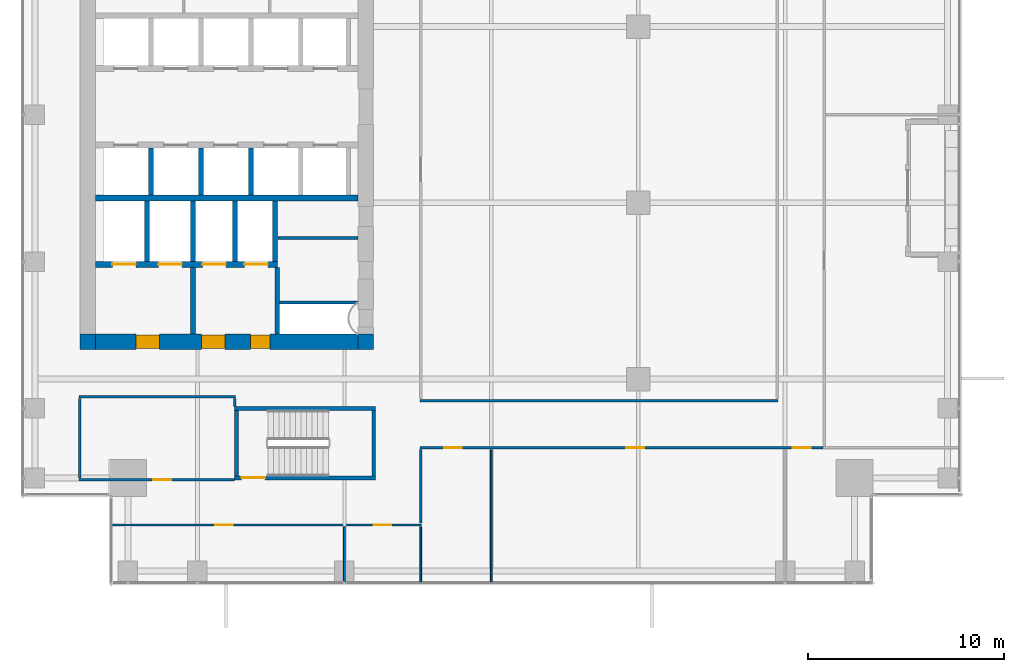
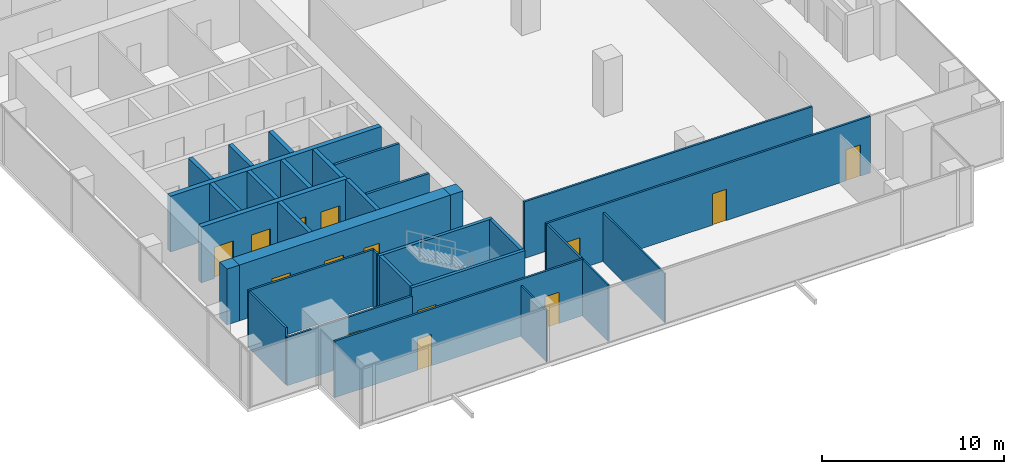
# One storey, part 34 of 40: 31 walls, 14 doors, 14 openings.
"""IFC4 building model written with IfcOpenShell, lengths in metres."""

from ifc_helpers import new_model, si_unit, direction, frame, frame_2d, origin, place, context, subcontext, project, spatial, rectangle, extrude, source, transform, mapped, material, layer, layer_set, type_object, element, fill, save


model = new_model("IFC4")

# Units and contexts
model_context = context("Model", 3, precision=1e-05, world=origin(), true_north=direction((0.0, 1.0)))
body_context = subcontext(model_context, "Body", "Model", "MODEL_VIEW")
ifc_project = project(units=[si_unit("LENGTHUNIT", "METRE"), si_unit("AREAUNIT", "SQUARE_METRE"), si_unit("VOLUMEUNIT", "CUBIC_METRE"), si_unit("PLANEANGLEUNIT", "RADIAN"), si_unit("MASSUNIT", "GRAM", prefix="KILO")], contexts=[model_context])

# Site, building, storey
site_placement = place(None, origin())
site = spatial("IfcSite", under=ifc_project, at=site_placement, CompositionType="ELEMENT")
building_placement = place(site_placement, origin())
building = spatial("IfcBuilding", under=site, at=building_placement, Name="Khomas Fold Tower", CompositionType="ELEMENT")
storey_placement = place(building_placement, frame((0.0, 0.0, 204.699951171875)))
storey = spatial("IfcBuildingStorey", under=building, at=storey_placement, Name="L45", CompositionType="ELEMENT", Elevation=204.699951171875)

# Wall, openings, doors
ifc_material_1 = material(Name="Concrete C60/75", Category="concrete")
ifc_layer_1 = layer(ifc_material_1, 0.800048828125)
ifc_layer_set_1 = layer_set([ifc_layer_1], Name="Concrete C60/75")
wall_type_1 = type_object("IfcWallType", Name="Core wall 800", PredefinedType="SHEAR", material=ifc_layer_set_1)
shared_shape_1 = source(origin(), body_context, "Body", "SweptSolid", [
    extrude(rectangle(XDim=13.39990234375, YDim=0.800048828125, at=frame_2d((6.699951171875, 0.0))), origin(), (0.0, 0.0, 1.0), 3.75),
])
wall_1_placement = place(storey_placement, frame((6.800048828125, 15.39990234375, 0.0), z_axis=(0.0, 0.0, 1.0), x_axis=(1.0, 0.0, 0.0)))
wall_1 = element("IfcWall", 1, at=wall_1_placement, inside=storey, type_object=wall_type_1, Name="Core wall CW-U-S-L35", PredefinedType="SHEAR", context=body_context, shape_type="MappedRepresentation", body=[
    mapped(shared_shape_1, transform((0.0, 0.0, 0.0))),
])
shared_shape_2 = source(origin(), body_context, "Body", "SweptSolid", [
    extrude(rectangle(XDim=1.199951171875, YDim=2.10009765625, at=frame_2d((0.60009765625, 1.050048828125))), frame((0.0, 0.409912109375, 0.0), z_axis=(0.0, -1.0, 0.0), x_axis=(1.0, 0.0, 0.0)), (0.0, 0.0, 1.0), 0.820068359375),
])
opening_1_placement = place(wall_1_placement, frame((5.39990234375, 0.0, 0.0)))
opening_1 = element("IfcOpeningElement", 2, at=opening_1_placement, cuts=wall_1, Name="Opening 0009", PredefinedType="OPENING", context=body_context, shape_type="MappedRepresentation", body=[
    mapped(shared_shape_2, transform((0.0, 0.0, 0.0))),
])
opening_2_placement = place(wall_1_placement, frame((2.050048828125, 0.0, 0.0)))
opening_2 = element("IfcOpeningElement", 3, at=opening_2_placement, cuts=wall_1, Name="Opening 0009", PredefinedType="OPENING", context=body_context, shape_type="MappedRepresentation", body=[
    mapped(shared_shape_2, transform((0.0, 0.0, 0.0))),
])
shared_shape_3 = source(origin(), body_context, "Body", "SweptSolid", [
    extrude(rectangle(XDim=1.0, YDim=2.10009765625, at=frame_2d((0.5, 1.050048828125))), frame((0.0, 0.409912109375, 0.0), z_axis=(0.0, -1.0, 0.0), x_axis=(1.0, 0.0, 0.0)), (0.0, 0.0, 1.0), 0.820068359375),
])
opening_3_placement = place(wall_1_placement, frame((7.89990234375, 0.0, 0.0)))
opening_3 = element("IfcOpeningElement", 4, at=opening_3_placement, cuts=wall_1, Name="Opening 0010", PredefinedType="OPENING", context=body_context, shape_type="MappedRepresentation", body=[
    mapped(shared_shape_3, transform((0.0, 0.0, 0.0))),
])
ifc_material_2 = material(Name="Steel door leaf", Category="steel")
door_type_1 = type_object("IfcDoorType", Name="Lobby door 1200x2100 right-hand", OperationType="SINGLE_SWING_RIGHT", PredefinedType="DOOR", material=ifc_material_2)
shared_shape_4 = source(origin(), body_context, "Body", "SweptSolid", [
    extrude(rectangle(XDim=1.199951171875, YDim=2.10009765625, at=frame_2d((0.60009765625, 1.050048828125))), frame((0.0, 0.35009765625, 0.0), z_axis=(0.0, -1.0, 0.0), x_axis=(1.0, 0.0, 0.0)), (0.0, 0.0, 1.0), 0.699951171875),
])
door_1_placement = place(opening_1_placement, origin())
door_1 = element("IfcDoor", 5, at=door_1_placement, inside=storey, type_object=door_type_1, Name="Lobby door", OperationType="SINGLE_SWING_RIGHT", OverallHeight=2.10009765625, OverallWidth=1.199951171875, PredefinedType="DOOR", context=body_context, shape_type="MappedRepresentation", body=[
    mapped(shared_shape_4, transform((0.0, 0.0, 0.0))),
])
fill(opening_1, door_1)
door_2_placement = place(opening_2_placement, origin())
door_2 = element("IfcDoor", 6, at=door_2_placement, inside=storey, type_object=door_type_1, Name="Lobby door", OperationType="SINGLE_SWING_RIGHT", OverallHeight=2.10009765625, OverallWidth=1.199951171875, PredefinedType="DOOR", context=body_context, shape_type="MappedRepresentation", body=[
    mapped(shared_shape_4, transform((0.0, 0.0, 0.0))),
])
fill(opening_2, door_2)
ifc_material_3 = material(Name="Steel door leaf", Category="steel")
door_type_2 = type_object("IfcDoorType", Name="Stair door 1000x2100 right-hand", OperationType="SINGLE_SWING_RIGHT", PredefinedType="DOOR", material=ifc_material_3)
shared_shape_5 = source(origin(), body_context, "Body", "SweptSolid", [
    extrude(rectangle(XDim=1.0, YDim=2.10009765625, at=frame_2d((0.5, 1.050048828125))), frame((0.0, 0.35009765625, 0.0), z_axis=(0.0, -1.0, 0.0), x_axis=(1.0, 0.0, 0.0)), (0.0, 0.0, 1.0), 0.699951171875),
])
door_3_placement = place(opening_3_placement, origin())
door_3 = element("IfcDoor", 7, at=door_3_placement, inside=storey, type_object=door_type_2, Name="Stair door", OperationType="SINGLE_SWING_RIGHT", OverallHeight=2.10009765625, OverallWidth=1.0, PredefinedType="DOOR", context=body_context, shape_type="MappedRepresentation", body=[
    mapped(shared_shape_5, transform((0.0, 0.0, 0.0))),
])
fill(opening_3, door_3)

# Walls
ifc_material_4 = material(Name="Concrete C60/75", Category="concrete")
ifc_layer_2 = layer(ifc_material_4, 0.800048828125)
ifc_layer_set_2 = layer_set([ifc_layer_2], Name="Concrete C60/75")
wall_type_2 = type_object("IfcWallType", Name="Core corner wall 800", PredefinedType="SHEAR", material=ifc_layer_set_2)
shared_shape_6 = source(origin(), body_context, "Body", "SweptSolid", [
    extrude(rectangle(XDim=0.800048828125, YDim=0.800048828125, at=frame_2d((0.39990234375, 0.0))), origin(), (0.0, 0.0, 1.0), 3.75),
])
for number, where, z_axis, x_axis, name in (
    (8, (20.199951171875, 15.39990234375, 0.0), (0.0, 0.0, 1.0), (1.0, 0.0, 0.0), "Core wall CW-U-SE-L35"),
    (9, (6.0, 15.39990234375, 0.0), (0.0, 0.0, 1.0), (1.0, 0.0, 0.0), "Core wall CW-U-SW-L35"),
):
    element("IfcWall", number, at=place(storey_placement, frame(where, z_axis=z_axis, x_axis=x_axis)), inside=storey, type_object=wall_type_2, Name=name, PredefinedType="SHEAR", context=body_context, shape_type="MappedRepresentation", body=[
        mapped(shared_shape_6, transform((0.0, 0.0, 0.0))),
    ])
ifc_material_5 = material(Name="Concrete C50/60", Category="concrete")
ifc_layer_3 = layer(ifc_material_5, 0.199951171875)
ifc_layer_set_3 = layer_set([ifc_layer_3], Name="Concrete C50/60")
wall_type_3 = type_object("IfcWallType", Name="Stair wall 200", PredefinedType="SHEAR", material=ifc_layer_set_3)
shared_shape_7 = source(origin(), body_context, "Body", "SweptSolid", [
    extrude(rectangle(XDim=7.2001953125, YDim=0.199951171875, at=frame_2d((3.60009765625, 0.0))), origin(), (0.0, 0.0, 1.0), 3.75),
])
wall_2_placement = place(storey_placement, frame((13.89990234375, 12.0, 0.0), z_axis=(0.0, 0.0, 1.0), x_axis=(1.0, 0.0, 0.0)))
element("IfcWall", 10, at=wall_2_placement, inside=storey, type_object=wall_type_3, Name="Stair wall SW-ST2-NH", PredefinedType="SHEAR", context=body_context, shape_type="MappedRepresentation", body=[
    mapped(shared_shape_7, transform((0.0, 0.0, 0.0))),
])

# Wall, opening, door
wall_3_placement = place(storey_placement, frame((13.89990234375, 8.449951171875, 0.0), z_axis=(0.0, 0.0, 1.0), x_axis=(1.0, 0.0, 0.0)))
wall_3 = element("IfcWall", 11, at=wall_3_placement, inside=storey, type_object=wall_type_3, Name="Stair wall SW-ST2-S", PredefinedType="SHEAR", context=body_context, shape_type="MappedRepresentation", body=[
    mapped(shared_shape_7, transform((0.0, 0.0, 0.0))),
])
shared_shape_8 = source(origin(), body_context, "Body", "SweptSolid", [
    extrude(rectangle(XDim=1.199951171875, YDim=2.10009765625, at=frame_2d((0.60009765625, 1.050048828125))), frame((0.0, 0.10986328125, 0.0), z_axis=(0.0, -1.0, 0.0), x_axis=(1.0, 0.0, 0.0)), (0.0, 0.0, 1.0), 0.219970703125),
])
opening_4_placement = place(wall_3_placement, frame((0.35009765625, 0.0, 0.0)))
opening_4 = element("IfcOpeningElement", 12, at=opening_4_placement, cuts=wall_3, Name="Opening SD-ST2", PredefinedType="OPENING", context=body_context, shape_type="MappedRepresentation", body=[
    mapped(shared_shape_8, transform((0.0, 0.0, 0.0))),
])
ifc_material_6 = material(Name="Steel door leaf", Category="steel")
door_type_3 = type_object("IfcDoorType", Name="Stair door 1200x2100 right-hand", OperationType="SINGLE_SWING_RIGHT", PredefinedType="DOOR", material=ifc_material_6)
shared_shape_9 = source(origin(), body_context, "Body", "SweptSolid", [
    extrude(rectangle(XDim=1.199951171875, YDim=2.10009765625, at=frame_2d((0.60009765625, 1.050048828125))), frame((0.0, 0.02490234375, 0.0), z_axis=(0.0, -1.0, 0.0), x_axis=(1.0, 0.0, 0.0)), (0.0, 0.0, 1.0), 0.050048828125),
])
door_4_placement = place(opening_4_placement, origin())
door_4 = element("IfcDoor", 13, at=door_4_placement, inside=storey, type_object=door_type_3, Name="Stair door", OperationType="SINGLE_SWING_RIGHT", OverallHeight=2.10009765625, OverallWidth=1.199951171875, PredefinedType="DOOR", context=body_context, shape_type="MappedRepresentation", body=[
    mapped(shared_shape_9, transform((0.0, 0.0, 0.0))),
])
fill(opening_4, door_4)

# Walls
shared_shape_10 = source(origin(), body_context, "Body", "SweptSolid", [
    extrude(rectangle(XDim=3.349853515625, YDim=0.199951171875, at=frame_2d((1.6748046875, 0.0))), origin(), (0.0, 0.0, 1.0), 3.75),
])
for number, where, z_axis, x_axis, name in (
    (14, (21.0, 8.550048828125, 0.0), (0.0, 0.0, 1.0), (0.0, 1.0, 0.0), "Stair wall SW-ST2-E"),
    (15, (14.0, 8.550048828125, 0.0), (0.0, 0.0, 1.0), (0.0, 1.0, 0.0), "Stair wall SW-ST2-W"),
):
    element("IfcWall", number, at=place(storey_placement, frame(where, z_axis=z_axis, x_axis=x_axis)), inside=storey, type_object=wall_type_3, Name=name, PredefinedType="SHEAR", context=body_context, shape_type="MappedRepresentation", body=[
        mapped(shared_shape_10, transform((0.0, 0.0, 0.0))),
    ])
ifc_material_7 = material(Name="Concrete C50/60", Category="concrete")
ifc_layer_4 = layer(ifc_material_7, 0.300048828125)
ifc_layer_set_4 = layer_set([ifc_layer_4], Name="Concrete C50/60")
wall_type_4 = type_object("IfcWallType", Name="Shaft wall 300", PredefinedType="STANDARD", material=ifc_layer_set_4)
shared_shape_11 = source(origin(), body_context, "Body", "SweptSolid", [
    extrude(rectangle(XDim=13.39990234375, YDim=0.300048828125, at=frame_2d((6.699951171875, 0.0))), origin(), (0.0, 0.0, 1.0), 3.75),
])
wall_4_placement = place(storey_placement, frame((6.800048828125, 22.75, 0.0), z_axis=(0.0, 0.0, 1.0), x_axis=(1.0, 0.0, 0.0)))
element("IfcWall", 16, at=wall_4_placement, inside=storey, type_object=wall_type_4, Name="Core wall SW-FS-B", PredefinedType="STANDARD", context=body_context, shape_type="MappedRepresentation", body=[
    mapped(shared_shape_11, transform((0.0, 0.0, 0.0))),
])

# Wall, openings, doors
shared_shape_12 = source(origin(), body_context, "Body", "SweptSolid", [
    extrude(rectangle(XDim=9.27490234375, YDim=0.300048828125, at=frame_2d((4.637451171875, 0.0))), origin(), (0.0, 0.0, 1.0), 3.75),
])
wall_5_placement = place(storey_placement, frame((6.800048828125, 19.35009765625, 0.0), z_axis=(0.0, 0.0, 1.0), x_axis=(1.0, 0.0, 0.0)))
wall_5 = element("IfcWall", 17, at=wall_5_placement, inside=storey, type_object=wall_type_4, Name="Core wall SW-FS-F", PredefinedType="STANDARD", context=body_context, shape_type="MappedRepresentation", body=[
    mapped(shared_shape_12, transform((0.0, 0.0, 0.0))),
])
shared_shape_13 = source(origin(), body_context, "Body", "SweptSolid", [
    extrude(rectangle(XDim=1.199951171875, YDim=2.10009765625, at=frame_2d((0.60009765625, 1.050048828125))), frame((0.0, 0.159912109375, 0.0), z_axis=(0.0, -1.0, 0.0), x_axis=(1.0, 0.0, 0.0)), (0.0, 0.0, 1.0), 0.320068359375),
])
opening_5_placement = place(wall_5_placement, frame((0.85009765625, 0.0, 0.0)))
opening_5 = element("IfcOpeningElement", 18, at=opening_5_placement, cuts=wall_5, Name="Opening LD-SV1", PredefinedType="OPENING", context=body_context, shape_type="MappedRepresentation", body=[
    mapped(shared_shape_13, transform((0.0, 0.0, 0.0))),
])
opening_6_placement = place(wall_5_placement, frame((3.199951171875, 0.0, 0.0)))
opening_6 = element("IfcOpeningElement", 19, at=opening_6_placement, cuts=wall_5, Name="Opening LD-SV2", PredefinedType="OPENING", context=body_context, shape_type="MappedRepresentation", body=[
    mapped(shared_shape_13, transform((0.0, 0.0, 0.0))),
])
opening_7_placement = place(wall_5_placement, frame((5.449951171875, 0.0, 0.0)))
opening_7 = element("IfcOpeningElement", 20, at=opening_7_placement, cuts=wall_5, Name="Opening LD-FF1", PredefinedType="OPENING", context=body_context, shape_type="MappedRepresentation", body=[
    mapped(shared_shape_13, transform((0.0, 0.0, 0.0))),
])
opening_8_placement = place(wall_5_placement, frame((7.60009765625, 0.0, 0.0)))
opening_8 = element("IfcOpeningElement", 21, at=opening_8_placement, cuts=wall_5, Name="Opening LD-FF2", PredefinedType="OPENING", context=body_context, shape_type="MappedRepresentation", body=[
    mapped(shared_shape_13, transform((0.0, 0.0, 0.0))),
])
ifc_material_8 = material(Name="Steel door leaf", Category="steel")
door_type_4 = type_object("IfcDoorType", Name="Landing door 1200x2100", OperationType="DOUBLE_DOOR_SLIDING", PredefinedType="DOOR", material=ifc_material_8)
door_5_placement = place(opening_5_placement, origin())
door_5 = element("IfcDoor", 22, at=door_5_placement, inside=storey, type_object=door_type_4, Name="Lift landing door", OperationType="DOUBLE_DOOR_SLIDING", OverallHeight=2.10009765625, OverallWidth=1.199951171875, PredefinedType="DOOR", context=body_context, shape_type="MappedRepresentation", body=[
    mapped(shared_shape_9, transform((0.0, 0.0, 0.0))),
])
fill(opening_5, door_5)
door_6_placement = place(opening_6_placement, origin())
door_6 = element("IfcDoor", 23, at=door_6_placement, inside=storey, type_object=door_type_4, Name="Lift landing door", OperationType="DOUBLE_DOOR_SLIDING", OverallHeight=2.10009765625, OverallWidth=1.199951171875, PredefinedType="DOOR", context=body_context, shape_type="MappedRepresentation", body=[
    mapped(shared_shape_9, transform((0.0, 0.0, 0.0))),
])
fill(opening_6, door_6)
door_7_placement = place(opening_7_placement, origin())
door_7 = element("IfcDoor", 24, at=door_7_placement, inside=storey, type_object=door_type_4, Name="Lift landing door", OperationType="DOUBLE_DOOR_SLIDING", OverallHeight=2.10009765625, OverallWidth=1.199951171875, PredefinedType="DOOR", context=body_context, shape_type="MappedRepresentation", body=[
    mapped(shared_shape_9, transform((0.0, 0.0, 0.0))),
])
fill(opening_7, door_7)
door_8_placement = place(opening_8_placement, origin())
door_8 = element("IfcDoor", 25, at=door_8_placement, inside=storey, type_object=door_type_4, Name="Lift landing door", OperationType="DOUBLE_DOOR_SLIDING", OverallHeight=2.10009765625, OverallWidth=1.199951171875, PredefinedType="DOOR", context=body_context, shape_type="MappedRepresentation", body=[
    mapped(shared_shape_9, transform((0.0, 0.0, 0.0))),
])
fill(opening_8, door_8)

# Walls
ifc_material_9 = material(Name="Concrete C50/60", Category="concrete")
ifc_layer_5 = layer(ifc_material_9, 0.25)
ifc_layer_set_5 = layer_set([ifc_layer_5], Name="Concrete C50/60")
wall_type_5 = type_object("IfcWallType", Name="Shaft wall 250", PredefinedType="STANDARD", material=ifc_layer_set_5)
shared_shape_14 = source(origin(), body_context, "Body", "SweptSolid", [
    extrude(rectangle(XDim=3.10009765625, YDim=0.25, at=frame_2d((1.550048828125, 0.0))), origin(), (0.0, 0.0, 1.0), 3.75),
])
for number, where, z_axis, x_axis, name in (
    (26, (9.425048828125, 19.5, 0.0), (0.0, 0.0, 1.0), (0.0, 1.0, 0.0), "Core wall SW-FS-P1"),
    (27, (11.77490234375, 19.5, 0.0), (0.0, 0.0, 1.0), (0.0, 1.0, 0.0), "Core wall SW-FS-P2"),
    (28, (13.925048828125, 19.5, 0.0), (0.0, 0.0, 1.0), (0.0, 1.0, 0.0), "Core wall SW-FS-P3"),
    (29, (15.949951171875, 19.5, 0.0), (0.0, 0.0, 1.0), (0.0, 1.0, 0.0), "Core wall SW-FS-PE"),
):
    element("IfcWall", number, at=place(storey_placement, frame(where, z_axis=z_axis, x_axis=x_axis)), inside=storey, type_object=wall_type_5, Name=name, PredefinedType="STANDARD", context=body_context, shape_type="MappedRepresentation", body=[
        mapped(shared_shape_14, transform((0.0, 0.0, 0.0))),
    ])
shared_shape_15 = source(origin(), body_context, "Body", "SweptSolid", [
    extrude(rectangle(XDim=2.400146484375, YDim=0.25, at=frame_2d((1.2001953125, 0.0))), origin(), (0.0, 0.0, 1.0), 3.75),
])
for number, where, z_axis, x_axis, name in (
    (30, (9.625, 22.89990234375, 0.0), (0.0, 0.0, 1.0), (0.0, 1.0, 0.0), "Core wall SW-HRS-P1"),
    (31, (12.175048828125, 22.89990234375, 0.0), (0.0, 0.0, 1.0), (0.0, 1.0, 0.0), "Core wall SW-HRS-P2"),
    (32, (14.72509765625, 22.89990234375, 0.0), (0.0, 0.0, 1.0), (0.0, 1.0, 0.0), "Core wall SW-HRS-PE"),
):
    element("IfcWall", number, at=place(storey_placement, frame(where, z_axis=z_axis, x_axis=x_axis)), inside=storey, type_object=wall_type_5, Name=name, PredefinedType="STANDARD", context=body_context, shape_type="MappedRepresentation", body=[
        mapped(shared_shape_15, transform((0.0, 0.0, 0.0))),
    ])
ifc_material_10 = material(Name="Concrete C50/60", Category="concrete")
ifc_layer_6 = layer(ifc_material_10, 0.25)
ifc_layer_set_6 = layer_set([ifc_layer_6], Name="Concrete C50/60")
wall_type_6 = type_object("IfcWallType", Name="Lobby wall 250", PredefinedType="STANDARD", material=ifc_layer_set_6)
shared_shape_16 = source(origin(), body_context, "Body", "SweptSolid", [
    extrude(rectangle(XDim=3.39990234375, YDim=0.25, at=frame_2d((1.699951171875, 0.0))), origin(), (0.0, 0.0, 1.0), 3.75),
])
for number, where, z_axis, x_axis, name in (
    (33, (16.074951171875, 15.800048828125, 0.0), (0.0, 0.0, 1.0), (0.0, 1.0, 0.0), "Core wall SW-FS-LOB-E"),
    (34, (11.77490234375, 15.800048828125, 0.0), (0.0, 0.0, 1.0), (0.0, 1.0, 0.0), "Core wall SW-FS-SEP"),
):
    element("IfcWall", number, at=place(storey_placement, frame(where, z_axis=z_axis, x_axis=x_axis)), inside=storey, type_object=wall_type_6, Name=name, PredefinedType="STANDARD", context=body_context, shape_type="MappedRepresentation", body=[
        mapped(shared_shape_16, transform((0.0, 0.0, 0.0))),
    ])
ifc_material_11 = material(Name="Plasterboard partition")
ifc_layer_7 = layer(ifc_material_11, 0.10009765625)
ifc_layer_set_7 = layer_set([ifc_layer_7], Name="Plasterboard partition")
wall_type_7 = type_object("IfcWallType", Name="Partition PW1 100", PredefinedType="PARTITIONING", material=ifc_layer_set_7)
shared_shape_17 = source(origin(), body_context, "Body", "SweptSolid", [
    extrude(rectangle(XDim=2.800048828125, YDim=0.10009765625, at=frame_2d((1.39990234375, 0.0))), origin(), (0.0, 0.0, 1.0), 3.420166015625),
])
wall_6_placement = place(storey_placement, frame((19.5, 3.14990234375, 0.0), z_axis=(0.0, 0.0, 1.0), x_axis=(0.0, 1.0, 0.0)))
element("IfcWall", 35, at=wall_6_placement, inside=storey, type_object=wall_type_7, Name="Partition", PredefinedType="PARTITIONING", context=body_context, shape_type="MappedRepresentation", body=[
    mapped(shared_shape_17, transform((0.0, 0.0, 0.0))),
])

# Wall, opening, door
ifc_material_12 = material(Name="Plasterboard partition")
ifc_layer_8 = layer(ifc_material_12, 0.125)
ifc_layer_set_8 = layer_set([ifc_layer_8], Name="Plasterboard partition")
wall_type_8 = type_object("IfcWallType", Name="Partition PW2 125", PredefinedType="PARTITIONING", material=ifc_layer_set_8)
shared_shape_18 = source(origin(), body_context, "Body", "SweptSolid", [
    extrude(rectangle(XDim=7.949951171875, YDim=0.125, at=frame_2d((3.97509765625, 0.0))), origin(), (0.0, 0.0, 1.0), 3.25),
])
wall_7_placement = place(storey_placement, frame((5.949951171875, 8.35009765625, 0.0), z_axis=(0.0, 0.0, 1.0), x_axis=(1.0, 0.0, 0.0)))
wall_7 = element("IfcWall", 36, at=wall_7_placement, inside=storey, type_object=wall_type_8, Name="Partition", PredefinedType="PARTITIONING", context=body_context, shape_type="MappedRepresentation", body=[
    mapped(shared_shape_18, transform((0.0, 0.0, 0.0))),
])
shared_shape_19 = source(origin(), body_context, "Body", "SweptSolid", [
    extrude(rectangle(XDim=0.89990234375, YDim=2.10009765625, at=frame_2d((0.449951171875, 1.050048828125))), frame((0.0, 0.072509765625, 0.0), z_axis=(0.0, -1.0, 0.0), x_axis=(1.0, 0.0, 0.0)), (0.0, 0.0, 1.0), 0.14501953125),
])
opening_9_placement = place(wall_7_placement, frame((3.800048828125, 0.0, 0.0)))
opening_9 = element("IfcOpeningElement", 37, at=opening_9_placement, cuts=wall_7, Name="Opening 0007", PredefinedType="OPENING", context=body_context, shape_type="MappedRepresentation", body=[
    mapped(shared_shape_19, transform((0.0, 0.0, 0.0))),
])
ifc_material_13 = material(Name="Timber door leaf", Category="wood")
door_type_5 = type_object("IfcDoorType", Name="Door 900x2100 left-hand", OperationType="SINGLE_SWING_LEFT", PredefinedType="DOOR", material=ifc_material_13)
shared_shape_20 = source(origin(), body_context, "Body", "SweptSolid", [
    extrude(rectangle(XDim=0.89990234375, YDim=2.10009765625, at=frame_2d((0.449951171875, 1.050048828125))), frame((0.0, 0.02490234375, 0.0), z_axis=(0.0, -1.0, 0.0), x_axis=(1.0, 0.0, 0.0)), (0.0, 0.0, 1.0), 0.050048828125),
])
door_9_placement = place(opening_9_placement, origin())
door_9 = element("IfcDoor", 38, at=door_9_placement, inside=storey, type_object=door_type_5, Name="Door", OperationType="SINGLE_SWING_LEFT", OverallHeight=2.10009765625, OverallWidth=0.89990234375, PredefinedType="DOOR", context=body_context, shape_type="MappedRepresentation", body=[
    mapped(shared_shape_20, transform((0.0, 0.0, 0.0))),
])
fill(opening_9, door_9)

# Walls
shared_shape_21 = source(origin(), body_context, "Body", "SweptSolid", [
    extrude(rectangle(XDim=4.050048828125, YDim=0.125, at=frame_2d((2.02490234375, 0.0))), origin(), (0.0, 0.0, 1.0), 3.800048828125),
])
wall_8_placement = place(storey_placement, frame((6.0, 8.449951171875, 0.0), z_axis=(0.0, 0.0, 1.0), x_axis=(0.0, 1.0, 0.0)))
element("IfcWall", 39, at=wall_8_placement, inside=storey, type_object=wall_type_8, Name="Partition", PredefinedType="PARTITIONING", context=body_context, shape_type="MappedRepresentation", body=[
    mapped(shared_shape_21, transform((0.0, 0.0, 0.0))),
])
shared_shape_22 = source(origin(), body_context, "Body", "SweptSolid", [
    extrude(rectangle(XDim=0.39990234375, YDim=0.125, at=frame_2d((0.199951171875, 0.0))), origin(), (0.0, 0.0, 1.0), 3.800048828125),
])
wall_9_placement = place(storey_placement, frame((13.89990234375, 12.10009765625, 0.0), z_axis=(0.0, 0.0, 1.0), x_axis=(0.0, 1.0, 0.0)))
element("IfcWall", 40, at=wall_9_placement, inside=storey, type_object=wall_type_8, Name="Partition", PredefinedType="PARTITIONING", context=body_context, shape_type="MappedRepresentation", body=[
    mapped(shared_shape_22, transform((0.0, 0.0, 0.0))),
])
shared_shape_23 = source(origin(), body_context, "Body", "SweptSolid", [
    extrude(rectangle(XDim=8.0, YDim=0.125, at=frame_2d((4.0, 0.0))), origin(), (0.0, 0.0, 1.0), 3.800048828125),
])
wall_10_placement = place(storey_placement, frame((5.949951171875, 12.60009765625, 0.0), z_axis=(0.0, 0.0, 1.0), x_axis=(1.0, 0.0, 0.0)))
element("IfcWall", 41, at=wall_10_placement, inside=storey, type_object=wall_type_8, Name="Partition", PredefinedType="PARTITIONING", context=body_context, shape_type="MappedRepresentation", body=[
    mapped(shared_shape_23, transform((0.0, 0.0, 0.0))),
])
ifc_material_14 = material(Name="Plasterboard fire partition")
ifc_layer_9 = layer(ifc_material_14, 0.14990234375)
ifc_layer_set_9 = layer_set([ifc_layer_9], Name="Plasterboard fire partition")
wall_type_9 = type_object("IfcWallType", Name="Plant room wall PW3 150", PredefinedType="PARTITIONING", material=ifc_layer_set_9)
shared_shape_24 = source(origin(), body_context, "Body", "SweptSolid", [
    extrude(rectangle(XDim=4.0, YDim=0.14990234375, at=frame_2d((2.0, 0.0))), origin(), (0.0, 0.0, 1.0), 3.800048828125),
])
wall_11_placement = place(storey_placement, frame((16.199951171875, 17.39990234375, 0.0), z_axis=(0.0, 0.0, 1.0), x_axis=(1.0, 0.0, 0.0)))
element("IfcWall", 42, at=wall_11_placement, inside=storey, type_object=wall_type_9, Name="Plant room wall", PredefinedType="PARTITIONING", context=body_context, shape_type="MappedRepresentation", body=[
    mapped(shared_shape_24, transform((0.0, 0.0, 0.0))),
])
shared_shape_25 = source(origin(), body_context, "Body", "SweptSolid", [
    extrude(rectangle(XDim=18.2998046875, YDim=0.125, at=frame_2d((9.14990234375, 0.0))), origin(), (0.0, 0.0, 1.0), 3.800048828125),
])
wall_12_placement = place(storey_placement, frame((23.35009765625, 12.39990234375, 0.0), z_axis=(0.0, 0.0, 1.0), x_axis=(1.0, 0.0, 0.0)))
element("IfcWall", 43, at=wall_12_placement, inside=storey, type_object=wall_type_8, Name="Partition", PredefinedType="PARTITIONING", context=body_context, shape_type="MappedRepresentation", body=[
    mapped(shared_shape_25, transform((0.0, 0.0, 0.0))),
])
shared_shape_26 = source(origin(), body_context, "Body", "SweptSolid", [
    extrude(rectangle(XDim=2.800048828125, YDim=0.10009765625, at=frame_2d((1.39990234375, 0.0))), origin(), (0.0, 0.0, 1.0), 3.800048828125),
])
wall_13_placement = place(storey_placement, frame((23.39990234375, 3.14990234375, 0.0), z_axis=(0.0, 0.0, 1.0), x_axis=(0.0, 1.0, 0.0)))
element("IfcWall", 44, at=wall_13_placement, inside=storey, type_object=wall_type_7, Name="Partition", PredefinedType="PARTITIONING", context=body_context, shape_type="MappedRepresentation", body=[
    mapped(shared_shape_26, transform((0.0, 0.0, 0.0))),
])

# Wall, openings, doors
shared_shape_27 = source(origin(), body_context, "Body", "SweptSolid", [
    extrude(rectangle(XDim=15.800048828125, YDim=0.125, at=frame_2d((7.89990234375, 0.0))), origin(), (0.0, 0.0, 1.0), 3.800048828125),
])
wall_14_placement = place(storey_placement, frame((7.64990234375, 6.050048828125, 0.0), z_axis=(0.0, 0.0, 1.0), x_axis=(1.0, 0.0, 0.0)))
wall_14 = element("IfcWall", 45, at=wall_14_placement, inside=storey, type_object=wall_type_8, Name="Partition", PredefinedType="PARTITIONING", context=body_context, shape_type="MappedRepresentation", body=[
    mapped(shared_shape_27, transform((0.0, 0.0, 0.0))),
])
opening_10_placement = place(wall_14_placement, frame((5.25, 0.0, 0.0)))
opening_10 = element("IfcOpeningElement", 46, at=opening_10_placement, cuts=wall_14, Name="Opening 0007", PredefinedType="OPENING", context=body_context, shape_type="MappedRepresentation", body=[
    mapped(shared_shape_19, transform((0.0, 0.0, 0.0))),
])
opening_11_placement = place(wall_14_placement, frame((13.35009765625, 0.0, 0.0)))
opening_11 = element("IfcOpeningElement", 47, at=opening_11_placement, cuts=wall_14, Name="Opening 0007", PredefinedType="OPENING", context=body_context, shape_type="MappedRepresentation", body=[
    mapped(shared_shape_19, transform((0.0, 0.0, 0.0))),
])
door_10_placement = place(opening_10_placement, origin())
door_10 = element("IfcDoor", 48, at=door_10_placement, inside=storey, type_object=door_type_5, Name="Door", OperationType="SINGLE_SWING_LEFT", OverallHeight=2.10009765625, OverallWidth=0.89990234375, PredefinedType="DOOR", context=body_context, shape_type="MappedRepresentation", body=[
    mapped(shared_shape_20, transform((0.0, 0.0, 0.0))),
])
fill(opening_10, door_10)
door_11_placement = place(opening_11_placement, origin())
door_11 = element("IfcDoor", 49, at=door_11_placement, inside=storey, type_object=door_type_5, Name="Door", OperationType="SINGLE_SWING_LEFT", OverallHeight=2.10009765625, OverallWidth=0.89990234375, PredefinedType="DOOR", context=body_context, shape_type="MappedRepresentation", body=[
    mapped(shared_shape_20, transform((0.0, 0.0, 0.0))),
])
fill(opening_11, door_11)

# Walls
shared_shape_28 = source(origin(), body_context, "Body", "SweptSolid", [
    extrude(rectangle(XDim=3.75, YDim=0.125, at=frame_2d((1.875, 0.0))), origin(), (0.0, 0.0, 1.0), 3.800048828125),
])
wall_15_placement = place(storey_placement, frame((23.39990234375, 6.14990234375, 0.0), z_axis=(0.0, 0.0, 1.0), x_axis=(0.0, 1.0, 0.0)))
element("IfcWall", 50, at=wall_15_placement, inside=storey, type_object=wall_type_8, Name="Partition", PredefinedType="PARTITIONING", context=body_context, shape_type="MappedRepresentation", body=[
    mapped(shared_shape_28, transform((0.0, 0.0, 0.0))),
])
shared_shape_29 = source(origin(), body_context, "Body", "SweptSolid", [
    extrude(rectangle(XDim=6.75, YDim=0.10009765625, at=frame_2d((3.375, 0.0))), origin(), (0.0, 0.0, 1.0), 3.300048828125),
])
wall_16_placement = place(storey_placement, frame((27.0, 3.14990234375, 0.0), z_axis=(0.0, 0.0, 1.0), x_axis=(0.0, 1.0, 0.0)))
element("IfcWall", 51, at=wall_16_placement, inside=storey, type_object=wall_type_7, Name="Partition", PredefinedType="PARTITIONING", context=body_context, shape_type="MappedRepresentation", body=[
    mapped(shared_shape_29, transform((0.0, 0.0, 0.0))),
])

# Wall, openings, doors
shared_shape_30 = source(origin(), body_context, "Body", "SweptSolid", [
    extrude(rectangle(XDim=20.599853515625, YDim=0.125, at=frame_2d((10.2998046875, 0.0))), origin(), (0.0, 0.0, 1.0), 3.800048828125),
])
wall_17_placement = place(storey_placement, frame((23.35009765625, 10.0, 0.0), z_axis=(0.0, 0.0, 1.0), x_axis=(1.0, 0.0, 0.0)))
wall_17 = element("IfcWall", 52, at=wall_17_placement, inside=storey, type_object=wall_type_8, Name="Partition", PredefinedType="PARTITIONING", context=body_context, shape_type="MappedRepresentation", body=[
    mapped(shared_shape_30, transform((0.0, 0.0, 0.0))),
])
opening_12_placement = place(wall_17_placement, frame((1.25, 0.0, 0.0)))
opening_12 = element("IfcOpeningElement", 53, at=opening_12_placement, cuts=wall_17, Name="Opening 0007", PredefinedType="OPENING", context=body_context, shape_type="MappedRepresentation", body=[
    mapped(shared_shape_19, transform((0.0, 0.0, 0.0))),
])
opening_13_placement = place(wall_17_placement, frame((10.550048828125, 0.0, 0.0)))
opening_13 = element("IfcOpeningElement", 54, at=opening_13_placement, cuts=wall_17, Name="Opening 0007", PredefinedType="OPENING", context=body_context, shape_type="MappedRepresentation", body=[
    mapped(shared_shape_19, transform((0.0, 0.0, 0.0))),
])
opening_14_placement = place(wall_17_placement, frame((19.050048828125, 0.0, 0.0)))
opening_14 = element("IfcOpeningElement", 55, at=opening_14_placement, cuts=wall_17, Name="Opening 0007", PredefinedType="OPENING", context=body_context, shape_type="MappedRepresentation", body=[
    mapped(shared_shape_19, transform((0.0, 0.0, 0.0))),
])
door_12_placement = place(opening_12_placement, origin())
door_12 = element("IfcDoor", 56, at=door_12_placement, inside=storey, type_object=door_type_5, Name="Door", OperationType="SINGLE_SWING_LEFT", OverallHeight=2.10009765625, OverallWidth=0.89990234375, PredefinedType="DOOR", context=body_context, shape_type="MappedRepresentation", body=[
    mapped(shared_shape_20, transform((0.0, 0.0, 0.0))),
])
fill(opening_12, door_12)
door_13_placement = place(opening_13_placement, origin())
door_13 = element("IfcDoor", 57, at=door_13_placement, inside=storey, type_object=door_type_5, Name="Door", OperationType="SINGLE_SWING_LEFT", OverallHeight=2.10009765625, OverallWidth=0.89990234375, PredefinedType="DOOR", context=body_context, shape_type="MappedRepresentation", body=[
    mapped(shared_shape_20, transform((0.0, 0.0, 0.0))),
])
fill(opening_13, door_13)
door_14_placement = place(opening_14_placement, origin())
door_14 = element("IfcDoor", 58, at=door_14_placement, inside=storey, type_object=door_type_5, Name="Door", OperationType="SINGLE_SWING_LEFT", OverallHeight=2.10009765625, OverallWidth=0.89990234375, PredefinedType="DOOR", context=body_context, shape_type="MappedRepresentation", body=[
    mapped(shared_shape_20, transform((0.0, 0.0, 0.0))),
])
fill(opening_14, door_14)

# Wall
shared_shape_31 = source(origin(), body_context, "Body", "SweptSolid", [
    extrude(rectangle(XDim=4.099853515625, YDim=0.14990234375, at=frame_2d((2.0498046875, 0.0))), origin(), (0.0, 0.0, 1.0), 3.800048828125),
])
wall_18_placement = place(storey_placement, frame((16.10009765625, 20.699951171875, 0.0), z_axis=(0.0, 0.0, 1.0), x_axis=(1.0, 0.0, 0.0)))
element("IfcWall", 59, at=wall_18_placement, inside=storey, type_object=wall_type_9, Name="Plant room wall", PredefinedType="PARTITIONING", context=body_context, shape_type="MappedRepresentation", body=[
    mapped(shared_shape_31, transform((0.0, 0.0, 0.0))),
])

save(model, "model.ifc")
